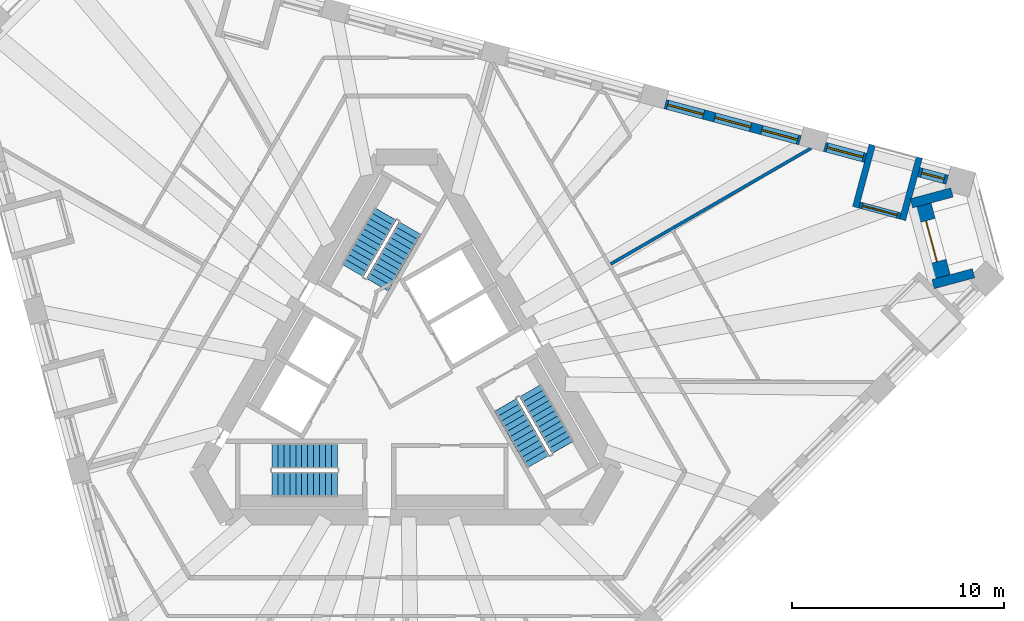
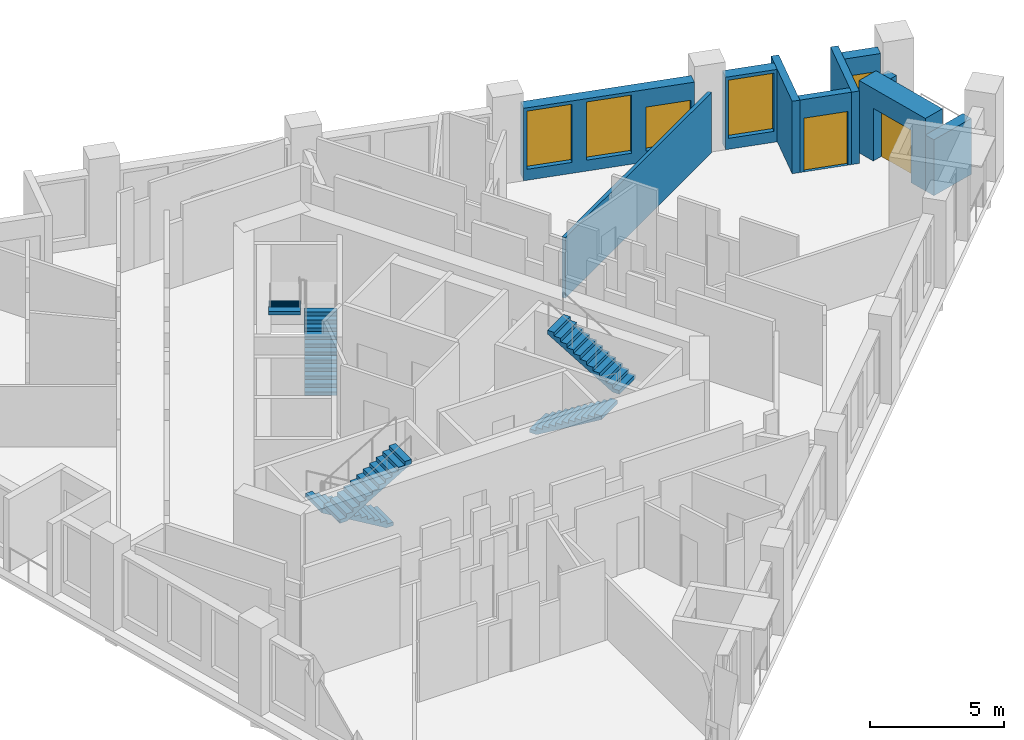
# One storey, part 9 of 13: 10 walls, 6 stair flights, 5 windows, 2 doors, 7 openings, 3 elements without a shape of their own.
"""IFC4 building model written with IfcOpenShell, lengths in metres."""

from ifc_helpers import new_model, si_unit, direction, frame, frame_2d, origin, place, context, subcontext, project, spatial, polyline, rectangle, outline, extrude, material, layer, layer_set, type_object, element, fill, aggregate, save


model = new_model("IFC4")

# Units and contexts
model_context = context("Model", 3, precision=1e-05, world=origin(), true_north=direction((0.0, 1.0)))
body_context = subcontext(model_context, "Body", "Model", "MODEL_VIEW")
ifc_project = project(units=[si_unit("LENGTHUNIT", "METRE"), si_unit("AREAUNIT", "SQUARE_METRE"), si_unit("VOLUMEUNIT", "CUBIC_METRE"), si_unit("PLANEANGLEUNIT", "RADIAN"), si_unit("MASSUNIT", "GRAM", prefix="KILO")], contexts=[model_context])

# Site, building, storey
site_placement = place(None, origin())
site = spatial("IfcSite", under=ifc_project, at=site_placement, CompositionType="ELEMENT")
building_placement = place(site_placement, origin())
building = spatial("IfcBuilding", under=site, at=building_placement, Name="Tramontana Tower", CompositionType="ELEMENT")
storey_placement = place(building_placement, frame((0.0, 0.0, 208.0)))
storey = spatial("IfcBuildingStorey", under=building, at=storey_placement, Name="L48", CompositionType="ELEMENT", Elevation=208.0)

# Wall, opening, window
ifc_material_1 = material(Name="Precast concrete 60 MPa", Category="concrete")
ifc_layer_1 = layer(ifc_material_1, 0.449951171875)
ifc_layer_set_1 = layer_set([ifc_layer_1], Name="Precast concrete 60 MPa, 450 mm")
wall_type_1 = type_object("IfcWallType", Name="EW1 Stone-faced precast wall 450", PredefinedType="SOLIDWALL", material=ifc_layer_set_1)
wall_1_placement = place(storey_placement, frame((25.522705078125, 9.54443359375, 0.0), z_axis=(0.0, 0.0, 1.0), x_axis=(-0.965938699585, 0.258770996527, 0.0)))
wall_1 = element("IfcWall", 1, at=wall_1_placement, inside=storey, type_object=wall_type_1, Name="External wall L48 face 2 bay 1", PredefinedType="SOLIDWALL", context=body_context, shape_type="SweptSolid", body=[
    extrude(rectangle(XDim=1.398193359375, YDim=0.449951171875, at=frame_2d((0.69921875, 0.0))), origin(), (0.0, 0.0, 1.0), 3.300048828125),
])
opening_1_placement = place(wall_1_placement, frame((0.14892578125, 0.0, 0.5)))
opening_1 = element("IfcOpeningElement", 2, at=opening_1_placement, cuts=wall_1, Name="Opening N2L", PredefinedType="OPENING", context=body_context, shape_type="SweptSolid", body=[
    extrude(rectangle(XDim=1.10009765625, YDim=2.0, at=frame_2d((0.550048828125, 1.0))), frame((0.0, 0.23486328125, 0.0), z_axis=(0.0, -1.0, 0.0), x_axis=(1.0, 0.0, 0.0)), (0.0, 0.0, 1.0), 0.469970703125),
])
ifc_material_2 = material(Name="Aluminum frame, double glazing unit", Category="aluminium")
window_type_1 = type_object("IfcWindowType", Name="N2L Window 1.1 x 2", PartitioningType="SINGLE_PANEL", PredefinedType="WINDOW", material=ifc_material_2)
window_1_placement = place(opening_1_placement, origin())
window_1 = element("IfcWindow", 3, at=window_1_placement, inside=storey, type_object=window_type_1, Name="Window N2L L48 face 2 module 1", OverallHeight=2.0, OverallWidth=1.10009765625, PartitioningType="SINGLE_PANEL", PredefinedType="WINDOW", context=body_context, shape_type="SweptSolid", body=[
    extrude(rectangle(XDim=1.10009765625, YDim=2.0, at=frame_2d((0.550048828125, 1.0))), frame((0.0, 0.030029296875, 0.0), z_axis=(0.0, -1.0, 0.0), x_axis=(1.0, 0.0, 0.0)), (0.0, 0.0, 1.0), 0.06005859375),
])
fill(opening_1, window_1)

wall_2_placement = place(storey_placement, frame((21.66259765625, 10.578857421875, 0.0), z_axis=(0.0, 0.0, 1.0), x_axis=(-0.96593005298, 0.258803270362, 0.0)))
wall_2 = element("IfcWall", 4, at=wall_2_placement, inside=storey, type_object=wall_type_1, Name="External wall L48 face 2 bay 1", PredefinedType="SOLIDWALL", context=body_context, shape_type="SweptSolid", body=[
    extrude(rectangle(XDim=1.998046875, YDim=0.449951171875, at=frame_2d((0.9990234375, 0.0))), origin(), (0.0, 0.0, 1.0), 3.300048828125),
])
opening_2_placement = place(wall_2_placement, frame((0.1240234375, 0.0, 0.5)))
opening_2 = element("IfcOpeningElement", 5, at=opening_2_placement, cuts=wall_2, Name="Opening M2", PredefinedType="OPENING", context=body_context, shape_type="SweptSolid", body=[
    extrude(rectangle(XDim=1.75, YDim=2.64990234375, at=frame_2d((0.875, 1.324951171875))), frame((0.0, 0.23486328125, 0.0), z_axis=(0.0, -1.0, 0.0), x_axis=(1.0, 0.0, 0.0)), (0.0, 0.0, 1.0), 0.469970703125),
])
ifc_material_3 = material(Name="Aluminum frame, double glazing unit", Category="aluminium")
window_type_2 = type_object("IfcWindowType", Name="M2 Window 1.75 x 2.65", PartitioningType="SINGLE_PANEL", PredefinedType="WINDOW", material=ifc_material_3)
window_2_placement = place(opening_2_placement, origin())
window_2 = element("IfcWindow", 6, at=window_2_placement, inside=storey, type_object=window_type_2, Name="Window M2 L48 face 2 module 3", OverallHeight=2.64990234375, OverallWidth=1.75, PartitioningType="SINGLE_PANEL", PredefinedType="WINDOW", context=body_context, shape_type="SweptSolid", body=[
    extrude(rectangle(XDim=1.75, YDim=2.64990234375, at=frame_2d((0.875, 1.324951171875))), frame((0.0, 0.030029296875, 0.0), z_axis=(0.0, -1.0, 0.0), x_axis=(1.0, 0.0, 0.0)), (0.0, 0.0, 1.0), 0.06005859375),
])
fill(opening_2, window_2)

# Wall, openings, windows
wall_3_placement = place(storey_placement, frame((18.573486328125, 11.406494140625, 0.0), z_axis=(0.0, 0.0, 1.0), x_axis=(-0.965921443251, 0.258835402268, 0.0)))
wall_3 = element("IfcWall", 7, at=wall_3_placement, inside=storey, type_object=wall_type_1, Name="External wall L48 face 2 bay 2", PredefinedType="SOLIDWALL", context=body_context, shape_type="SweptSolid", body=[
    extrude(rectangle(XDim=6.593994140625, YDim=0.449951171875, at=frame_2d((3.296875, 0.0))), origin(), (0.0, 0.0, 1.0), 3.300048828125),
])
opening_3_placement = place(wall_3_placement, frame((0.1240234375, 0.0, 0.5)))
opening_3 = element("IfcOpeningElement", 8, at=opening_3_placement, cuts=wall_3, Name="Opening M2L", PredefinedType="OPENING", context=body_context, shape_type="SweptSolid", body=[
    extrude(rectangle(XDim=1.75, YDim=2.0, at=frame_2d((0.875, 1.0))), frame((0.0, 0.23486328125, 0.0), z_axis=(0.0, -1.0, 0.0), x_axis=(1.0, 0.0, 0.0)), (0.0, 0.0, 1.0), 0.469970703125),
])
opening_4_placement = place(wall_3_placement, frame((2.422119140625, 0.0, 0.5)))
opening_4 = element("IfcOpeningElement", 9, at=opening_4_placement, cuts=wall_3, Name="Opening M2", PredefinedType="OPENING", context=body_context, shape_type="SweptSolid", body=[
    extrude(rectangle(XDim=1.75, YDim=2.64990234375, at=frame_2d((0.875, 1.324951171875))), frame((0.0, 0.23486328125, 0.0), z_axis=(0.0, -1.0, 0.0), x_axis=(1.0, 0.0, 0.0)), (0.0, 0.0, 1.0), 0.469970703125),
])
opening_5_placement = place(wall_3_placement, frame((4.72021484375, 0.0, 0.5)))
opening_5 = element("IfcOpeningElement", 10, at=opening_5_placement, cuts=wall_3, Name="Opening M2", PredefinedType="OPENING", context=body_context, shape_type="SweptSolid", body=[
    extrude(rectangle(XDim=1.75, YDim=2.64990234375, at=frame_2d((0.875, 1.324951171875))), frame((0.0, 0.23486328125, 0.0), z_axis=(0.0, -1.0, 0.0), x_axis=(1.0, 0.0, 0.0)), (0.0, 0.0, 1.0), 0.469970703125),
])
window_3_placement = place(opening_4_placement, origin())
window_3 = element("IfcWindow", 11, at=window_3_placement, inside=storey, type_object=window_type_2, Name="Window M2 L48 face 2 module 5", OverallHeight=2.64990234375, OverallWidth=1.75, PartitioningType="SINGLE_PANEL", PredefinedType="WINDOW", context=body_context, shape_type="SweptSolid", body=[
    extrude(rectangle(XDim=1.75, YDim=2.64990234375, at=frame_2d((0.875, 1.324951171875))), frame((0.0, 0.030029296875, 0.0), z_axis=(0.0, -1.0, 0.0), x_axis=(1.0, 0.0, 0.0)), (0.0, 0.0, 1.0), 0.06005859375),
])
fill(opening_4, window_3)
window_4_placement = place(opening_5_placement, origin())
window_4 = element("IfcWindow", 12, at=window_4_placement, inside=storey, type_object=window_type_2, Name="Window M2 L48 face 2 module 6", OverallHeight=2.64990234375, OverallWidth=1.75, PartitioningType="SINGLE_PANEL", PredefinedType="WINDOW", context=body_context, shape_type="SweptSolid", body=[
    extrude(rectangle(XDim=1.75, YDim=2.64990234375, at=frame_2d((0.875, 1.324951171875))), frame((0.0, 0.030029296875, 0.0), z_axis=(0.0, -1.0, 0.0), x_axis=(1.0, 0.0, 0.0)), (0.0, 0.0, 1.0), 0.06005859375),
])
fill(opening_5, window_4)
ifc_material_4 = material(Name="Aluminum frame, double glazing unit", Category="aluminium")
window_type_3 = type_object("IfcWindowType", Name="M2L Window 1.75 x 2", PartitioningType="SINGLE_PANEL", PredefinedType="WINDOW", material=ifc_material_4)
window_5_placement = place(opening_3_placement, origin())
window_5 = element("IfcWindow", 13, at=window_5_placement, inside=storey, type_object=window_type_3, Name="Window M2L L48 face 2 module 4", OverallHeight=2.0, OverallWidth=1.75, PartitioningType="SINGLE_PANEL", PredefinedType="WINDOW", context=body_context, shape_type="SweptSolid", body=[
    extrude(rectangle(XDim=1.75, YDim=2.0, at=frame_2d((0.875, 1.0))), frame((0.0, 0.030029296875, 0.0), z_axis=(0.0, -1.0, 0.0), x_axis=(1.0, 0.0, 0.0)), (0.0, 0.0, 1.0), 0.06005859375),
])
fill(opening_3, window_5)

# Walls
wall_4_placement = place(storey_placement, frame((25.741943359375, 8.942138671875, 0.0), z_axis=(0.0, 0.0, 1.0), x_axis=(-0.965935388955, -0.258783354109, 0.0)))
element("IfcWall", 14, at=wall_4_placement, inside=storey, type_object=wall_type_1, Name="Corner loggia side wall L48 K52l", PredefinedType="SOLIDWALL", context=body_context, shape_type="SweptSolid", body=[
    extrude(rectangle(XDim=1.979248046875, YDim=0.449951171875, at=frame_2d((0.98974609375, 0.0))), origin(), (0.0, 0.0, 1.0), 2.550048828125),
])
wall_5_placement = place(storey_placement, frame((26.76416015625, 5.126708984375, 0.0), z_axis=(0.0, 0.0, 1.0), x_axis=(-0.965927127032, -0.258814190615, 0.0)))
element("IfcWall", 15, at=wall_5_placement, inside=storey, type_object=wall_type_1, Name="Corner loggia side wall L48 K52r", PredefinedType="SOLIDWALL", context=body_context, shape_type="SweptSolid", body=[
    extrude(rectangle(XDim=1.97900390625, YDim=0.449951171875, at=frame_2d((0.989501953125, 0.0))), origin(), (0.0, 0.0, 1.0), 2.550048828125),
])

# Wall, opening, door
ifc_material_5 = material(Name="Precast concrete 60 MPa", Category="concrete")
ifc_layer_2 = layer(ifc_material_5, 0.89990234375)
ifc_layer_set_2 = layer_set([ifc_layer_2], Name="EW2 Stone-faced corner loggia wall 900")
wall_type_2 = type_object("IfcWallType", Name="EW2 Stone-faced corner loggia wall 900", PredefinedType="SOLIDWALL", material=ifc_layer_set_2)
wall_6_placement = place(storey_placement, frame((24.322998046875, 8.3291015625, 0.0), z_axis=(0.0, 0.0, 1.0), x_axis=(0.258847652622, -0.965918160473, 0.0)))
wall_6 = element("IfcWall", 16, at=wall_6_placement, inside=storey, type_object=wall_type_2, Name="Corner loggia wall L48 K52", PredefinedType="SOLIDWALL", context=body_context, shape_type="SweptSolid", body=[
    extrude(rectangle(XDim=3.500244140625, YDim=0.89990234375, at=frame_2d((1.75, 0.0))), origin(), (0.0, 0.0, 1.0), 3.300048828125),
])
opening_6_placement = place(wall_6_placement, frame((0.75, 0.0, 0.0)))
opening_6 = element("IfcOpeningElement", 17, at=opening_6_placement, cuts=wall_6, Name="Opening BD-52C", PredefinedType="OPENING", context=body_context, shape_type="SweptSolid", body=[
    extrude(rectangle(XDim=2.0, YDim=2.39990234375, at=frame_2d((1.0, 1.199951171875))), frame((0.0, 0.4599609375, 0.0), z_axis=(0.0, -1.0, 0.0), x_axis=(1.0, 0.0, 0.0)), (0.0, 0.0, 1.0), 0.919921875),
])
ifc_material_6 = material(Name="Aluminum frame, double glazing unit", Category="aluminium")
door_type_1 = type_object("IfcDoorType", Name="BC1 Sliding door 2 x 2.4", OperationType="SLIDING_TO_LEFT", PredefinedType="DOOR", material=ifc_material_6)
door_1_placement = place(opening_6_placement, origin())
door_1 = element("IfcDoor", 18, at=door_1_placement, inside=storey, type_object=door_type_1, Name="Corner loggia door L48 K52", OperationType="SLIDING_TO_LEFT", OverallHeight=2.39990234375, OverallWidth=2.0, PredefinedType="DOOR", context=body_context, shape_type="SweptSolid", body=[
    extrude(rectangle(XDim=2.0, YDim=2.39990234375, at=frame_2d((1.0, 1.199951171875))), frame((0.0, 0.02490234375, 0.0), z_axis=(0.0, -1.0, 0.0), x_axis=(1.0, 0.0, 0.0)), (0.0, 0.0, 1.0), 0.050048828125),
])
fill(opening_6, door_1)

ifc_material_7 = material(Name="Precast concrete 60 MPa", Category="concrete")
ifc_layer_3 = layer(ifc_material_7, 0.300048828125)
ifc_layer_set_3 = layer_set([ifc_layer_3], Name="LW1 Stone-faced loggia wall 300")
wall_type_3 = type_object("IfcWallType", Name="LW1 Stone-faced loggia wall 300", PredefinedType="SOLIDWALL", material=ifc_layer_set_3)
wall_7_placement = place(storey_placement, frame((23.306640625, 7.834716796875, 0.0), z_axis=(0.0, 0.0, 1.0), x_axis=(-0.965938235865, 0.258772727493, 0.0)))
wall_7 = element("IfcWall", 19, at=wall_7_placement, inside=storey, type_object=wall_type_3, Name="Loggia wall L48 G5S2.1", PredefinedType="SOLIDWALL", context=body_context, shape_type="SweptSolid", body=[
    extrude(rectangle(XDim=1.998291015625, YDim=0.300048828125, at=frame_2d((0.9990234375, 0.0))), origin(), (0.0, 0.0, 1.0), 3.300048828125),
])
opening_7_placement = place(wall_7_placement, frame((0.14892578125, 0.0, 0.0)))
opening_7 = element("IfcOpeningElement", 20, at=opening_7_placement, cuts=wall_7, Name="Opening BD-5S2-01", PredefinedType="OPENING", context=body_context, shape_type="SweptSolid", body=[
    extrude(rectangle(XDim=1.699951171875, YDim=2.449951171875, at=frame_2d((0.85009765625, 1.22509765625))), frame((0.0, 0.159912109375, 0.0), z_axis=(0.0, -1.0, 0.0), x_axis=(1.0, 0.0, 0.0)), (0.0, 0.0, 1.0), 0.320068359375),
])
ifc_material_8 = material(Name="Aluminum frame, double glazing unit", Category="aluminium")
door_type_2 = type_object("IfcDoorType", Name="BD2 Sliding door 1.7 x 2.45", OperationType="SLIDING_TO_LEFT", PredefinedType="DOOR", material=ifc_material_8)
door_2_placement = place(opening_7_placement, origin())
door_2 = element("IfcDoor", 21, at=door_2_placement, inside=storey, type_object=door_type_2, Name="Loggia door L48 G5S2.1", OperationType="SLIDING_TO_LEFT", OverallHeight=2.449951171875, OverallWidth=1.699951171875, PredefinedType="DOOR", context=body_context, shape_type="SweptSolid", body=[
    extrude(rectangle(XDim=1.699951171875, YDim=2.449951171875, at=frame_2d((0.85009765625, 1.22509765625))), frame((0.0, 0.02490234375, 0.0), z_axis=(0.0, -1.0, 0.0), x_axis=(1.0, 0.0, 0.0)), (0.0, 0.0, 1.0), 0.050048828125),
])
fill(opening_7, door_2)

# Walls
for number, where, z_axis, x_axis, name in (
    (22, (24.201904296875, 10.59716796875, 0.0), (0.0, 0.0, 1.0), (-0.258793435045, -0.965932688119, 0.0), "Loggia return L48 G5S2.1a"),
    (23, (21.982177734375, 11.19189453125, 0.0), (0.0, 0.0, 1.0), (-0.258793435045, -0.965932688119, 0.0), "Loggia return L48 G5S2.1b"),
):
    element("IfcWall", number, at=place(storey_placement, frame(where, z_axis=z_axis, x_axis=x_axis)), inside=storey, type_object=wall_type_3, Name=name, PredefinedType="SOLIDWALL", context=body_context, shape_type="SweptSolid", body=[
        extrude(rectangle(XDim=3.050048828125, YDim=0.300048828125, at=frame_2d((1.52490234375, 0.0))), origin(), (0.0, 0.0, 1.0), 3.300048828125),
    ])
ifc_material_9 = material(Name="Gypsum board partition")
ifc_layer_4 = layer(ifc_material_9, 0.14990234375)
ifc_layer_set_4 = layer_set([ifc_layer_4], Name="PARTITION 150")
wall_type_4 = type_object("IfcWallType", Name="PARTITION 150", PredefinedType="PARTITIONING", material=ifc_layer_set_4)
wall_8_placement = place(storey_placement, frame((9.632568359375, 5.566162109375, 0.0), z_axis=(0.0, 0.0, 1.0), x_axis=(0.865840987412, 0.500319282576, 0.0)))
element("IfcWall", 24, at=wall_8_placement, inside=storey, type_object=wall_type_4, Name="Wall v50-pw21-0", PredefinedType="PARTITIONING", context=body_context, shape_type="SweptSolid", body=[
    extrude(rectangle(XDim=10.928466796875, YDim=0.14990234375, at=frame_2d((5.46435546875, 0.0))), origin(), (0.0, 0.0, 1.0), 2.75),
])

# Stair, stair flights
ifc_material_10 = material(Name="Concrete 40 MPa", Category="concrete")
stair_type = type_object("IfcStairType", Name="EXIT STAIR 24 RISERS", PredefinedType="HALF_TURN_STAIR", material=ifc_material_10)
stair_1_placement = place(storey_placement, origin())
stair_1 = element("IfcStair", 25, at=stair_1_placement, inside=storey, type_object=stair_type, Name="L48 Exit stair ST1", PredefinedType="HALF_TURN_STAIR")
ifc_material_11 = material(Name="Concrete 40 MPa", Category="concrete")
ifc_layer_5 = layer(ifc_material_11, 0.14990234375)
ifc_layer_set_5 = layer_set([ifc_layer_5], Name="EXIT STAIR FLIGHT")
stair_flight_type = type_object("IfcStairFlightType", Name="EXIT STAIR FLIGHT", PredefinedType="STRAIGHT", material=ifc_layer_set_5)
stair_flight_1_placement = place(storey_placement, frame((-1.39111328125, 4.590576171875, 0.0), z_axis=(0.0, 0.0, 1.0), x_axis=(0.5, 0.866025403784, 0.0)))
stair_flight_1 = element("IfcStairFlight", 26, at=stair_flight_1_placement, type_object=stair_flight_type, Name="ST1 flight 1", NumberOfRisers=12, NumberOfTreads=11, PredefinedType="STRAIGHT", RiserHeight=0.166666667, TreadLength=0.28, context=body_context, shape_type="SweptSolid", body=[
    extrude(outline(polyline([(-0.006103515625, 0.0), (-0.006103515625, 0.0400390625), (0.0, 0.0400390625), (0.0, 0.166748046875), (0.280029296875, 0.166748046875), (0.280029296875, 0.333251953125), (0.56005859375, 0.333251953125), (0.56005859375, 0.5), (0.840087890625, 0.5), (0.840087890625, 0.666748046875), (1.1201171875, 0.666748046875), (1.1201171875, 0.833251953125), (1.39990234375, 0.833251953125), (1.39990234375, 1.0), (1.679931640625, 1.0), (1.679931640625, 1.166748046875), (1.9599609375, 1.166748046875), (1.9599609375, 1.333251953125), (2.239990234375, 1.333251953125), (2.239990234375, 1.5), (2.52001953125, 1.5), (2.52001953125, 1.666748046875), (2.800048828125, 1.666748046875), (2.800048828125, 1.833251953125), (3.080078125, 1.833251953125), (3.0859375, 1.833251953125), (3.0859375, 1.658935546875), (0.299072265625, 0.0), (-0.006103515625, 0.0)])), frame((0.0, 0.60009765625, 0.0), z_axis=(0.0, -1.0, 0.0), x_axis=(1.0, 0.0, 0.0)), (0.0, 0.0, 1.0), 1.199951171875),
])
stair_flight_2_placement = place(storey_placement, frame((-1.020263671875, 7.932861328125, 2.0), z_axis=(0.0, 0.0, 1.0), x_axis=(-0.5, -0.866025403784, 0.0)))
stair_flight_2 = element("IfcStairFlight", 27, at=stair_flight_2_placement, type_object=stair_flight_type, Name="ST1 flight 2", NumberOfRisers=12, NumberOfTreads=11, PredefinedType="STRAIGHT", RiserHeight=0.166666667, TreadLength=0.28, context=body_context, shape_type="SweptSolid", body=[
    extrude(outline(polyline([(-0.006103515625, 0.0), (-0.006103515625, 0.0400390625), (0.0, 0.0400390625), (0.0, 0.166748046875), (0.280029296875, 0.166748046875), (0.280029296875, 0.333251953125), (0.56005859375, 0.333251953125), (0.56005859375, 0.5), (0.840087890625, 0.5), (0.840087890625, 0.666748046875), (1.1201171875, 0.666748046875), (1.1201171875, 0.833251953125), (1.39990234375, 0.833251953125), (1.39990234375, 1.0), (1.679931640625, 1.0), (1.679931640625, 1.166748046875), (1.9599609375, 1.166748046875), (1.9599609375, 1.333251953125), (2.239990234375, 1.333251953125), (2.239990234375, 1.5), (2.52001953125, 1.5), (2.52001953125, 1.666748046875), (2.800048828125, 1.666748046875), (2.800048828125, 1.833251953125), (3.080078125, 1.833251953125), (3.0859375, 1.833251953125), (3.0859375, 1.658935546875), (0.299072265625, 0.0), (-0.006103515625, 0.0)])), frame((0.0, 0.60009765625, 0.0), z_axis=(0.0, -1.0, 0.0), x_axis=(1.0, 0.0, 0.0)), (0.0, 0.0, 1.0), 1.199951171875),
])
aggregate(stair_1, [stair_flight_1, stair_flight_2])

stair_2_placement = place(storey_placement, origin())
stair_2 = element("IfcStair", 28, at=stair_2_placement, inside=storey, type_object=stair_type, Name="L48 Exit stair ST2", PredefinedType="HALF_TURN_STAIR")
stair_flight_3_placement = place(storey_placement, frame((-3.280029296875, -3.5, 0.0), z_axis=(0.0, 0.0, 1.0), x_axis=(-1.0, 0.0, 0.0)))
stair_flight_3 = element("IfcStairFlight", 29, at=stair_flight_3_placement, type_object=stair_flight_type, Name="ST2 flight 1", NumberOfRisers=12, NumberOfTreads=11, PredefinedType="STRAIGHT", RiserHeight=0.166666667, TreadLength=0.28, context=body_context, shape_type="SweptSolid", body=[
    extrude(outline(polyline([(-0.006103515625, 0.0), (-0.006103515625, 0.0400390625), (0.0, 0.0400390625), (0.0, 0.166748046875), (0.280029296875, 0.166748046875), (0.280029296875, 0.333251953125), (0.56005859375, 0.333251953125), (0.56005859375, 0.5), (0.840087890625, 0.5), (0.840087890625, 0.666748046875), (1.1201171875, 0.666748046875), (1.1201171875, 0.833251953125), (1.39990234375, 0.833251953125), (1.39990234375, 1.0), (1.679931640625, 1.0), (1.679931640625, 1.166748046875), (1.9599609375, 1.166748046875), (1.9599609375, 1.333251953125), (2.239990234375, 1.333251953125), (2.239990234375, 1.5), (2.52001953125, 1.5), (2.52001953125, 1.666748046875), (2.800048828125, 1.666748046875), (2.800048828125, 1.833251953125), (3.080078125, 1.833251953125), (3.0859375, 1.833251953125), (3.0859375, 1.658935546875), (0.299072265625, 0.0), (-0.006103515625, 0.0)])), frame((0.0, 0.60009765625, 0.0), z_axis=(0.0, -1.0, 0.0), x_axis=(1.0, 0.0, 0.0)), (0.0, 0.0, 1.0), 1.199951171875),
])
stair_flight_4_placement = place(storey_placement, frame((-6.360107421875, -4.85009765625, 2.0), z_axis=(0.0, 0.0, 1.0), x_axis=(1.0, 0.0, 0.0)))
stair_flight_4 = element("IfcStairFlight", 30, at=stair_flight_4_placement, type_object=stair_flight_type, Name="ST2 flight 2", NumberOfRisers=12, NumberOfTreads=11, PredefinedType="STRAIGHT", RiserHeight=0.166666667, TreadLength=0.28, context=body_context, shape_type="SweptSolid", body=[
    extrude(outline(polyline([(-0.006103515625, 0.0), (-0.006103515625, 0.0400390625), (0.0, 0.0400390625), (0.0, 0.166748046875), (0.280029296875, 0.166748046875), (0.280029296875, 0.333251953125), (0.56005859375, 0.333251953125), (0.56005859375, 0.5), (0.840087890625, 0.5), (0.840087890625, 0.666748046875), (1.1201171875, 0.666748046875), (1.1201171875, 0.833251953125), (1.39990234375, 0.833251953125), (1.39990234375, 1.0), (1.679931640625, 1.0), (1.679931640625, 1.166748046875), (1.9599609375, 1.166748046875), (1.9599609375, 1.333251953125), (2.239990234375, 1.333251953125), (2.239990234375, 1.5), (2.52001953125, 1.5), (2.52001953125, 1.666748046875), (2.800048828125, 1.666748046875), (2.800048828125, 1.833251953125), (3.080078125, 1.833251953125), (3.0859375, 1.833251953125), (3.0859375, 1.658935546875), (0.299072265625, 0.0), (-0.006103515625, 0.0)])), frame((0.0, 0.60009765625, 0.0), z_axis=(0.0, -1.0, 0.0), x_axis=(1.0, 0.0, 0.0)), (0.0, 0.0, 1.0), 1.199951171875),
])
aggregate(stair_2, [stair_flight_3, stair_flight_4])

stair_3_placement = place(storey_placement, origin())
stair_3 = element("IfcStair", 31, at=stair_3_placement, inside=storey, type_object=stair_type, Name="L48 Exit stair ST3", PredefinedType="HALF_TURN_STAIR")
stair_flight_5_placement = place(storey_placement, frame((4.671142578125, -1.090576171875, 0.0), z_axis=(0.0, 0.0, 1.0), x_axis=(0.5, -0.866025403784, 0.0)))
stair_flight_5 = element("IfcStairFlight", 32, at=stair_flight_5_placement, type_object=stair_flight_type, Name="ST3 flight 1", NumberOfRisers=12, NumberOfTreads=11, PredefinedType="STRAIGHT", RiserHeight=0.166666667, TreadLength=0.28, context=body_context, shape_type="SweptSolid", body=[
    extrude(outline(polyline([(-0.006103515625, 0.0), (-0.006103515625, 0.0400390625), (0.0, 0.0400390625), (0.0, 0.166748046875), (0.280029296875, 0.166748046875), (0.280029296875, 0.333251953125), (0.56005859375, 0.333251953125), (0.56005859375, 0.5), (0.840087890625, 0.5), (0.840087890625, 0.666748046875), (1.1201171875, 0.666748046875), (1.1201171875, 0.833251953125), (1.39990234375, 0.833251953125), (1.39990234375, 1.0), (1.679931640625, 1.0), (1.679931640625, 1.166748046875), (1.9599609375, 1.166748046875), (1.9599609375, 1.333251953125), (2.239990234375, 1.333251953125), (2.239990234375, 1.5), (2.52001953125, 1.5), (2.52001953125, 1.666748046875), (2.800048828125, 1.666748046875), (2.800048828125, 1.833251953125), (3.080078125, 1.833251953125), (3.0859375, 1.833251953125), (3.0859375, 1.658935546875), (0.299072265625, 0.0), (-0.006103515625, 0.0)])), frame((0.0, 0.60009765625, 0.0), z_axis=(0.0, -1.0, 0.0), x_axis=(1.0, 0.0, 0.0)), (0.0, 0.0, 1.0), 1.199951171875),
])
stair_flight_6_placement = place(storey_placement, frame((7.380126953125, -3.0830078125, 2.0), z_axis=(0.0, 0.0, 1.0), x_axis=(-0.5, 0.866025403784, 0.0)))
stair_flight_6 = element("IfcStairFlight", 33, at=stair_flight_6_placement, type_object=stair_flight_type, Name="ST3 flight 2", NumberOfRisers=12, NumberOfTreads=11, PredefinedType="STRAIGHT", RiserHeight=0.166666667, TreadLength=0.28, context=body_context, shape_type="SweptSolid", body=[
    extrude(outline(polyline([(-0.006103515625, 0.0), (-0.006103515625, 0.0400390625), (0.0, 0.0400390625), (0.0, 0.166748046875), (0.280029296875, 0.166748046875), (0.280029296875, 0.333251953125), (0.56005859375, 0.333251953125), (0.56005859375, 0.5), (0.840087890625, 0.5), (0.840087890625, 0.666748046875), (1.1201171875, 0.666748046875), (1.1201171875, 0.833251953125), (1.39990234375, 0.833251953125), (1.39990234375, 1.0), (1.679931640625, 1.0), (1.679931640625, 1.166748046875), (1.9599609375, 1.166748046875), (1.9599609375, 1.333251953125), (2.239990234375, 1.333251953125), (2.239990234375, 1.5), (2.52001953125, 1.5), (2.52001953125, 1.666748046875), (2.800048828125, 1.666748046875), (2.800048828125, 1.833251953125), (3.080078125, 1.833251953125), (3.0859375, 1.833251953125), (3.0859375, 1.658935546875), (0.299072265625, 0.0), (-0.006103515625, 0.0)])), frame((0.0, 0.60009765625, 0.0), z_axis=(0.0, -1.0, 0.0), x_axis=(1.0, 0.0, 0.0)), (0.0, 0.0, 1.0), 1.199951171875),
])
aggregate(stair_3, [stair_flight_5, stair_flight_6])

save(model, "model.ifc")
